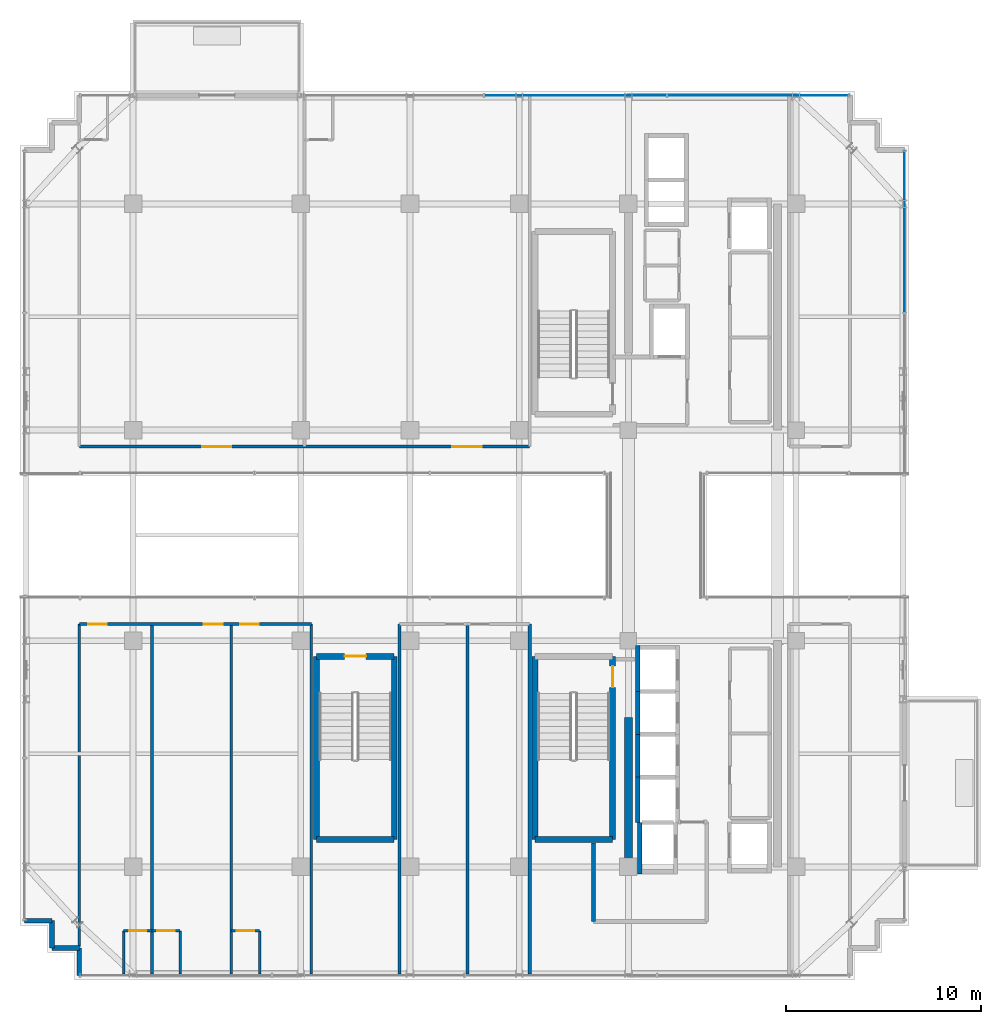
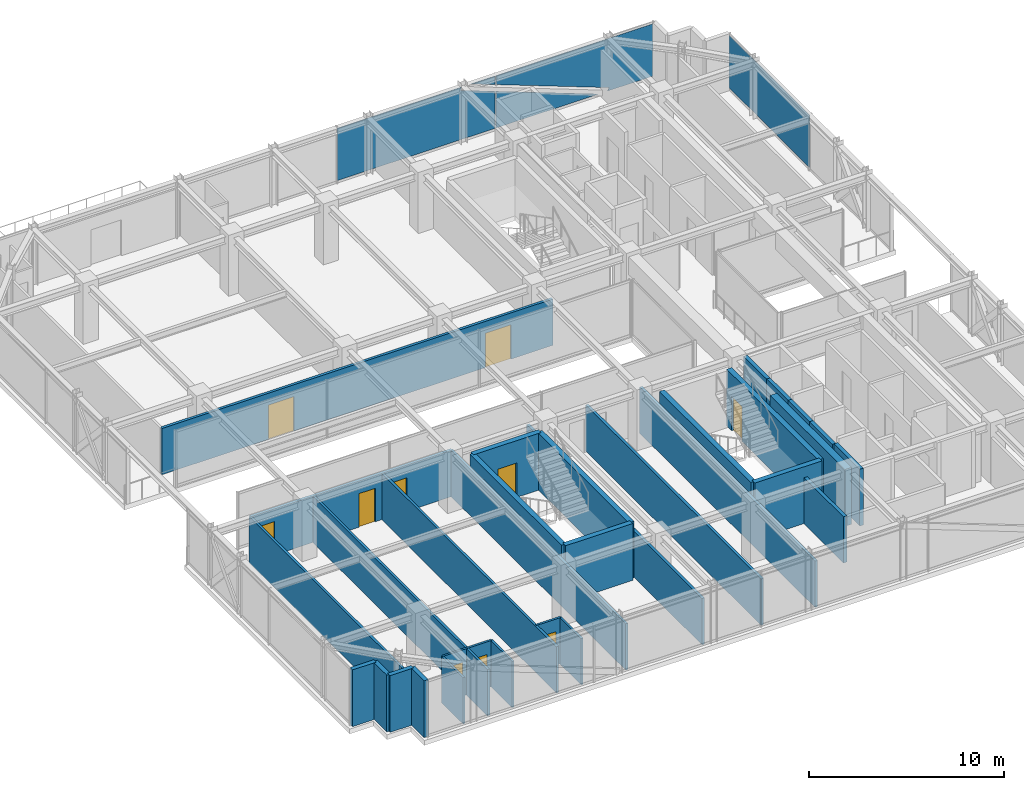
# One storey, part 32 of 39: 33 walls, 10 doors, 3 plates, 10 openings, 2 elements without a shape of their own.
"""IFC4 building model written with IfcOpenShell, lengths in metres."""

from ifc_helpers import new_model, si_unit, direction, frame, frame_2d, origin, origin_2d, place, context, subcontext, project, spatial, polyline, rectangle, outline, extrude, source, transform, mapped, material, layer, layer_set, type_object, element, fill, aggregate, save


model = new_model("IFC4")

# Units and contexts
model_context = context("Model", 3, precision=1e-05, world=origin(), true_north=direction((0.0, 1.0)))
body_context = subcontext(model_context, "Body", "Model", "MODEL_VIEW")
ifc_project = project(units=[si_unit("LENGTHUNIT", "METRE"), si_unit("AREAUNIT", "SQUARE_METRE"), si_unit("VOLUMEUNIT", "CUBIC_METRE"), si_unit("PLANEANGLEUNIT", "RADIAN"), si_unit("MASSUNIT", "GRAM", prefix="KILO")], contexts=[model_context])

# Site, building, storey
site_placement = place(None, origin())
site = spatial("IfcSite", under=ifc_project, at=site_placement, CompositionType="ELEMENT")
building_placement = place(site_placement, origin())
building = spatial("IfcBuilding", under=site, at=building_placement, Name="Nahalor Promenade Grand Hotel", CompositionType="ELEMENT")
storey_placement = place(building_placement, frame((0.0, 0.0, 311.89990234375)))
storey = spatial("IfcBuildingStorey", under=building, at=storey_placement, Name="L80", CompositionType="ELEMENT", Elevation=311.89990234375)

# Curtain wall, plates
ifc_material_1 = material(Name="Anodised Bronze Aluminium EN AW-6063 T6", Category="aluminium")
curtain_wall_type = type_object("IfcCurtainWallType", Name="CW3 Elliptical-Void Collar Unitised Curtain Wall", PredefinedType="USERDEFINED", material=ifc_material_1)
curtain_wall_1_placement = place(storey_placement, origin())
curtain_wall_1 = element("IfcCurtainWall", 1, at=curtain_wall_1_placement, inside=storey, type_object=curtain_wall_type, Name="L80 Curtain Wall CW-L80-N-3", ObjectType="UNITISED_CURTAIN_WALL", PredefinedType="USERDEFINED")
ifc_material_2 = material(Name="Low-E Laminated Solar Glass", Category="glass")
ifc_layer_1 = layer(ifc_material_2, 0.030029296875)
ifc_layer_set_1 = layer_set([ifc_layer_1], Name="Low-E Laminated Solar Glass")
plate_type = type_object("IfcPlateType", Name="CWP3 High-Wind Laminated Bronze IGU 30mm", PredefinedType="CURTAIN_PANEL", material=ifc_layer_set_1)
plate_1_placement = place(storey_placement, frame((5.679931640625, 22.56005859375, 0.14013671875), z_axis=(0.0, 0.0, 1.0), x_axis=(1.0, 0.0, 0.0)))
plate_1 = element("IfcPlate", 2, at=plate_1_placement, type_object=plate_type, Name="CW-L80-N-3 Glazing Panel 1-0", PredefinedType="CURTAIN_PANEL", context=body_context, shape_type="SweptSolid", body=[
    extrude(outline(polyline([(-4.658447265625, 0.0), (4.658447265625, 0.0), (4.658447265625, 2.313720703125), (2.6259765625, 3.081787109375), (2.697021484375, 3.27001953125), (-4.658447265625, 3.27001953125), (-4.658447265625, 0.0)])), frame((0.0, 0.01513671875, 0.0), z_axis=(0.0, -1.0, 0.0), x_axis=(1.0, 0.0, 0.0)), (0.0, 0.0, 1.0), 0.030029296875),
    extrude(outline(polyline([(4.658447265625, 2.7412109375), (4.658447265625, 3.27001953125), (3.25927734375, 3.27001953125), (4.658447265625, 2.7412109375)])), frame((0.0, 0.01513671875, 0.0), z_axis=(0.0, -1.0, 0.0), x_axis=(1.0, 0.0, 0.0)), (0.0, 0.0, 1.0), 0.030029296875),
])
plate_2_placement = place(storey_placement, frame((15.049072265625, 22.56005859375, 0.14013671875), z_axis=(0.0, 0.0, 1.0), x_axis=(1.0, 0.0, 0.0)))
plate_2 = element("IfcPlate", 3, at=plate_2_placement, type_object=plate_type, Name="CW-L80-N-3 Glazing Panel 2-0", PredefinedType="CURTAIN_PANEL", context=body_context, shape_type="SweptSolid", body=[
    extrude(outline(polyline([(4.640869140625, 3.27001953125), (-4.640869140625, 3.27001953125), (-4.640869140625, 2.71484375), (2.044921875, 0.188232421875), (1.973876953125, 0.0), (4.640869140625, 0.0), (4.640869140625, 3.27001953125)])), frame((0.0, 0.01513671875, 0.0), z_axis=(0.0, -1.0, 0.0), x_axis=(1.0, 0.0, 0.0)), (0.0, 0.0, 1.0), 0.030029296875),
    extrude(outline(polyline([(-4.640869140625, 2.287353515625), (-4.640869140625, 0.0), (1.41162109375, 0.0), (-4.640869140625, 2.287353515625)])), frame((0.0, 0.01513671875, 0.0), z_axis=(0.0, -1.0, 0.0), x_axis=(1.0, 0.0, 0.0)), (0.0, 0.0, 1.0), 0.030029296875),
])
aggregate(curtain_wall_1, [plate_1, plate_2])

# Curtain wall, plate
curtain_wall_2_placement = place(storey_placement, origin())
curtain_wall_2 = element("IfcCurtainWall", 4, at=curtain_wall_2_placement, inside=storey, type_object=curtain_wall_type, Name="L80 Curtain Wall CW-L80-E-4", ObjectType="UNITISED_CURTAIN_WALL", PredefinedType="USERDEFINED")
shared_shape_1 = source(origin(), body_context, "Body", "SweptSolid", [
    extrude(rectangle(XDim=8.239501953125, YDim=0.030029296875, at=origin_2d()), origin(), (0.0, 0.0, 1.0), 3.27001953125),
])
plate_3_placement = place(storey_placement, frame((22.56005859375, 15.5703125, 0.14013671875), z_axis=(0.0, 0.0, 1.0), x_axis=(0.0, 1.0, 0.0)))
plate_3 = element("IfcPlate", 5, at=plate_3_placement, type_object=plate_type, Name="CW-L80-E-4 Glazing Panel 1-0", PredefinedType="CURTAIN_PANEL", context=body_context, shape_type="MappedRepresentation", body=[
    mapped(shared_shape_1, transform((0.0, 0.0, 0.0), scale=1.0)),
])
aggregate(curtain_wall_2, [plate_3])

# Walls
ifc_material_3 = material(Name="Concrete B-50 (C40/50)", Category="concrete")
ifc_layer_2 = layer(ifc_material_3, 0.39990234375)
ifc_layer_set_2 = layer_set([ifc_layer_2], Name="Concrete B-50 (C40/50)")
wall_type_1 = type_object("IfcWallType", Name="Wall-CoreShear-400", PredefinedType="SHEAR", material=ifc_layer_set_2)
shared_shape_2 = source(origin(), body_context, "Body", "SweptSolid", [
    extrude(rectangle(XDim=7.64990234375, YDim=0.39990234375, at=frame_2d((3.824951171875, 0.0))), origin(), (0.0, 0.0, 1.0), 3.550048828125),
])
wall_1_placement = place(storey_placement, frame((8.39990234375, -17.0, 0.0), z_axis=(0.0, 0.0, 1.0), x_axis=(0.0, 1.0, 0.0)))
element("IfcWall", 6, at=wall_1_placement, inside=storey, type_object=wall_type_1, Name="CWALL-L80-SW", PredefinedType="SHEAR", context=body_context, shape_type="MappedRepresentation", body=[
    mapped(shared_shape_2, transform((0.0, 0.0, 0.0), scale=1.0)),
])
ifc_layer_3 = layer(ifc_material_3, 0.300048828125)
ifc_layer_set_3 = layer_set([ifc_layer_3], Name="Concrete B-50 (C40/50)")
wall_type_2 = type_object("IfcWallType", Name="Wall-ShaftShear-300", PredefinedType="SHEAR", material=ifc_layer_set_3)
shared_shape_3 = source(origin(), body_context, "Body", "SweptSolid", [
    extrude(rectangle(XDim=3.97998046875, YDim=0.300048828125, at=frame_2d((1.989990234375, 0.0))), origin(), (0.0, 0.0, 1.0), 3.550048828125),
])
for number, where, z_axis, x_axis, name in (
    (7, (3.610107421875, -15.590087890625, 0.0), (0.0, 0.0, 1.0), (1.0, 0.0, 0.0), "L80 Exit Stair ST2 Shaft Wall S"),
    (8, (-7.590087890625, -15.590087890625, 0.0), (0.0, 0.0, 1.0), (1.0, 0.0, 0.0), "L80 Exit Stair ST3 Shaft Wall S"),
):
    element("IfcWall", number, at=place(storey_placement, frame(where, z_axis=z_axis, x_axis=x_axis)), inside=storey, type_object=wall_type_2, Name=name, PredefinedType="SHEAR", context=body_context, shape_type="MappedRepresentation", body=[
        mapped(shared_shape_3, transform((0.0, 0.0, 0.0), scale=1.0)),
    ])

# Wall, opening, door
wall_2_placement = place(storey_placement, frame((-7.590087890625, -6.2099609375, 0.0), z_axis=(0.0, 0.0, 1.0), x_axis=(1.0, 0.0, 0.0)))
wall_2 = element("IfcWall", 9, at=wall_2_placement, inside=storey, type_object=wall_type_2, Name="L80 Exit Stair ST3 Shaft Wall N", PredefinedType="SHEAR", context=body_context, shape_type="MappedRepresentation", body=[
    mapped(shared_shape_3, transform((0.0, 0.0, 0.0), scale=1.0)),
])
opening_1_placement = place(wall_2_placement, frame((1.43994140625, 0.0, 0.0)))
opening_1 = element("IfcOpeningElement", 10, at=opening_1_placement, cuts=wall_2, Name="Opening D-ST1", PredefinedType="OPENING", context=body_context, shape_type="SweptSolid", body=[
    extrude(rectangle(XDim=1.10009765625, YDim=2.14990234375, at=frame_2d((0.550048828125, 1.074951171875))), frame((0.0, 0.159912109375, 0.0), z_axis=(0.0, -1.0, 0.0), x_axis=(1.0, 0.0, 0.0)), (0.0, 0.0, 1.0), 0.320068359375),
])
ifc_material_4 = material(Name="Steel S355JR", Category="steel")
door_type_1 = type_object("IfcDoorType", Name="Door-StairFire-1100", OperationType="NOTDEFINED", PredefinedType="DOOR", material=ifc_material_4)
shared_shape_4 = source(origin(), body_context, "Body", "SweptSolid", [
    extrude(rectangle(XDim=1.10009765625, YDim=2.14990234375, at=frame_2d((0.550048828125, 1.074951171875))), frame((0.0, 0.02490234375, 0.0), z_axis=(0.0, -1.0, 0.0), x_axis=(1.0, 0.0, 0.0)), (0.0, 0.0, 1.0), 0.050048828125),
])
door_1_placement = place(opening_1_placement, frame((1.10009765625, 0.0, 0.0), z_axis=(0.0, 0.0, 1.0), x_axis=(-1.0, 0.0, 0.0)))
door_1 = element("IfcDoor", 11, at=door_1_placement, inside=storey, type_object=door_type_1, Name="DR-STAIR-ST3-L80", OperationType="SINGLE_SWING_LEFT", OverallHeight=2.14990234375, OverallWidth=1.10009765625, PredefinedType="DOOR", context=body_context, shape_type="MappedRepresentation", body=[
    mapped(shared_shape_4, transform((0.0, 0.0, 0.0), scale=1.0)),
])
fill(opening_1, door_1)

# Wall
shared_shape_5 = source(origin(), body_context, "Body", "SweptSolid", [
    extrude(rectangle(XDim=9.380126953125, YDim=0.300048828125, at=frame_2d((4.68994140625, 0.0))), origin(), (0.0, 0.0, 1.0), 3.550048828125),
])
wall_3_placement = place(storey_placement, frame((3.610107421875, -15.590087890625, 0.0), z_axis=(0.0, 0.0, 1.0), x_axis=(0.0, 1.0, 0.0)))
element("IfcWall", 12, at=wall_3_placement, inside=storey, type_object=wall_type_2, Name="L80 Exit Stair ST2 Shaft Wall W", PredefinedType="SHEAR", context=body_context, shape_type="MappedRepresentation", body=[
    mapped(shared_shape_5, transform((0.0, 0.0, 0.0), scale=1.0)),
])

# Wall, opening, door
wall_4_placement = place(storey_placement, frame((7.590087890625, -15.590087890625, 0.0), z_axis=(0.0, 0.0, 1.0), x_axis=(0.0, 1.0, 0.0)))
wall_4 = element("IfcWall", 13, at=wall_4_placement, inside=storey, type_object=wall_type_2, Name="L80 Exit Stair ST2 Shaft Wall E", PredefinedType="SHEAR", context=body_context, shape_type="MappedRepresentation", body=[
    mapped(shared_shape_5, transform((0.0, 0.0, 0.0), scale=1.0)),
])
opening_2_placement = place(wall_4_placement, frame((7.7900390625, 0.0, 0.0)))
opening_2 = element("IfcOpeningElement", 14, at=opening_2_placement, cuts=wall_4, Name="Opening D-ST1", PredefinedType="OPENING", context=body_context, shape_type="SweptSolid", body=[
    extrude(rectangle(XDim=1.10009765625, YDim=2.14990234375, at=frame_2d((0.550048828125, 1.074951171875))), frame((0.0, 0.159912109375, 0.0), z_axis=(0.0, -1.0, 0.0), x_axis=(1.0, 0.0, 0.0)), (0.0, 0.0, 1.0), 0.320068359375),
])
door_2_placement = place(opening_2_placement, origin())
door_2 = element("IfcDoor", 15, at=door_2_placement, inside=storey, type_object=door_type_1, Name="DR-STAIR-ST2-L80", OperationType="SINGLE_SWING_LEFT", OverallHeight=2.14990234375, OverallWidth=1.10009765625, PredefinedType="DOOR", context=body_context, shape_type="MappedRepresentation", body=[
    mapped(shared_shape_4, transform((0.0, 0.0, 0.0), scale=1.0)),
])
fill(opening_2, door_2)

# Walls
for number, where, z_axis, x_axis, name in (
    (16, (-7.590087890625, -15.590087890625, 0.0), (0.0, 0.0, 1.0), (0.0, 1.0, 0.0), "L80 Exit Stair ST3 Shaft Wall W"),
    (17, (-3.610107421875, -15.590087890625, 0.0), (0.0, 0.0, 1.0), (0.0, 1.0, 0.0), "L80 Exit Stair ST3 Shaft Wall E"),
):
    element("IfcWall", number, at=place(storey_placement, frame(where, z_axis=z_axis, x_axis=x_axis)), inside=storey, type_object=wall_type_2, Name=name, PredefinedType="SHEAR", context=body_context, shape_type="MappedRepresentation", body=[
        mapped(shared_shape_5, transform((0.0, 0.0, 0.0), scale=1.0)),
    ])
ifc_layer_4 = layer(ifc_material_3, 0.219970703125)
ifc_layer_set_4 = layer_set([ifc_layer_4], Name="Concrete B-50 (C40/50)")
wall_type_3 = type_object("IfcWallType", Name="Wall-LiftShaft-220", PredefinedType="SHEAR", material=ifc_layer_set_4)
shared_shape_6 = source(origin(), body_context, "Body", "SweptSolid", [
    extrude(rectangle(XDim=2.360107421875, YDim=0.219970703125, at=frame_2d((1.18017578125, 0.0))), origin(), (0.0, 0.0, 1.0), 3.550048828125),
])
wall_5_placement = place(storey_placement, frame((8.8798828125, -8.0, 0.0), z_axis=(0.0, 0.0, 1.0), x_axis=(0.0, 1.0, 0.0)))
element("IfcWall", 18, at=wall_5_placement, inside=storey, type_object=wall_type_3, Name="L80 Lift PL9 Hoistway Wall W", PredefinedType="SHEAR", context=body_context, shape_type="MappedRepresentation", body=[
    mapped(shared_shape_6, transform((0.0, 0.0, 0.0), scale=1.0)),
])
shared_shape_7 = source(origin(), body_context, "Body", "SweptSolid", [
    extrude(rectangle(XDim=2.199951171875, YDim=0.219970703125, at=frame_2d((1.10009765625, 0.0))), origin(), (0.0, 0.0, 1.0), 3.550048828125),
])
for number, where, z_axis, x_axis, name in (
    (19, (8.8798828125, -10.199951171875, 0.0), (0.0, 0.0, 1.0), (0.0, 1.0, 0.0), "L80 Lift PL10 Hoistway Wall W"),
    (20, (8.8798828125, -12.39990234375, 0.0), (0.0, 0.0, 1.0), (0.0, 1.0, 0.0), "L80 Lift PL11 Hoistway Wall W"),
):
    element("IfcWall", number, at=place(storey_placement, frame(where, z_axis=z_axis, x_axis=x_axis)), inside=storey, type_object=wall_type_3, Name=name, PredefinedType="SHEAR", context=body_context, shape_type="MappedRepresentation", body=[
        mapped(shared_shape_7, transform((0.0, 0.0, 0.0), scale=1.0)),
    ])
shared_shape_8 = source(origin(), body_context, "Body", "SweptSolid", [
    extrude(rectangle(XDim=2.3251953125, YDim=0.219970703125, at=frame_2d((1.16259765625, 0.0))), origin(), (0.0, 0.0, 1.0), 3.550048828125),
])
wall_6_placement = place(storey_placement, frame((8.8798828125, -14.72509765625, 0.0), z_axis=(0.0, 0.0, 1.0), x_axis=(0.0, 1.0, 0.0)))
element("IfcWall", 21, at=wall_6_placement, inside=storey, type_object=wall_type_3, Name="L80 Lift PL12 Hoistway Wall W", PredefinedType="SHEAR", context=body_context, shape_type="MappedRepresentation", body=[
    mapped(shared_shape_8, transform((0.0, 0.0, 0.0), scale=1.0)),
])
shared_shape_9 = source(origin(), body_context, "Body", "SweptSolid", [
    extrude(rectangle(XDim=2.635009765625, YDim=0.219970703125, at=frame_2d((1.3173828125, 0.0))), origin(), (0.0, 0.0, 1.0), 3.550048828125),
])
wall_7_placement = place(storey_placement, frame((8.97998046875, -17.360107421875, 0.0), z_axis=(0.0, 0.0, 1.0), x_axis=(0.0, 1.0, 0.0)))
element("IfcWall", 22, at=wall_7_placement, inside=storey, type_object=wall_type_3, Name="L80 Lift FL2 Hoistway Wall W", PredefinedType="SHEAR", context=body_context, shape_type="MappedRepresentation", body=[
    mapped(shared_shape_9, transform((0.0, 0.0, 0.0), scale=1.0)),
])
ifc_material_5 = material(Name="Concrete B-40 (C32/40)", Category="concrete")
ifc_layer_5 = layer(ifc_material_5, 0.25)
ifc_layer_set_5 = layer_set([ifc_layer_5], Name="Concrete B-40 (C32/40)")
wall_type_4 = type_object("IfcWallType", Name="Wall-BronzePier-250", PredefinedType="STANDARD", material=ifc_layer_set_5)
shared_shape_10 = source(origin(), body_context, "Body", "SweptSolid", [
    extrude(rectangle(XDim=1.400146484375, YDim=0.25, at=frame_2d((0.7001953125, 0.0))), origin(), (0.0, 0.0, 1.0), 3.550048828125),
])
for number, where, z_axis, x_axis, name in (
    (23, (-22.56005859375, -19.760009765625, 0.0), (0.0, 0.0, 1.0), (1.0, 0.0, 0.0), "W-L80-SR-13"),
    (24, (-19.760009765625, -22.56005859375, 0.0), (0.0, 0.0, 1.0), (0.0, 1.0, 0.0), "W-L80-SR-16"),
):
    element("IfcWall", number, at=place(storey_placement, frame(where, z_axis=z_axis, x_axis=x_axis)), inside=storey, type_object=wall_type_4, Name=name, PredefinedType="STANDARD", context=body_context, shape_type="MappedRepresentation", body=[
        mapped(shared_shape_10, transform((0.0, 0.0, 0.0), scale=1.0)),
    ])
shared_shape_11 = source(origin(), body_context, "Body", "SweptSolid", [
    extrude(rectangle(XDim=1.39990234375, YDim=0.25, at=frame_2d((0.699951171875, 0.0))), origin(), (0.0, 0.0, 1.0), 3.550048828125),
])
for number, where, z_axis, x_axis, name in (
    (25, (-21.159912109375, -21.159912109375, 0.0), (0.0, 0.0, 1.0), (0.0, 1.0, 0.0), "W-L80-SR-14"),
    (26, (-21.159912109375, -21.159912109375, 0.0), (0.0, 0.0, 1.0), (1.0, 0.0, 0.0), "W-L80-SR-15"),
):
    element("IfcWall", number, at=place(storey_placement, frame(where, z_axis=z_axis, x_axis=x_axis)), inside=storey, type_object=wall_type_4, Name=name, PredefinedType="STANDARD", context=body_context, shape_type="MappedRepresentation", body=[
        mapped(shared_shape_11, transform((0.0, 0.0, 0.0), scale=1.0)),
    ])
ifc_layer_6 = layer(ifc_material_5, 0.199951171875)
ifc_layer_set_6 = layer_set([ifc_layer_6], Name="Concrete B-40 (C32/40)")
wall_type_5 = type_object("IfcWallType", Name="Wall-PartFire-200", PredefinedType="PARTITIONING", material=ifc_layer_set_6)
shared_shape_12 = source(origin(), body_context, "Body", "SweptSolid", [
    extrude(rectangle(XDim=4.030029296875, YDim=0.199951171875, at=frame_2d((2.01513671875, 0.0))), origin(), (0.0, 0.0, 1.0), 2.89013671875),
])
wall_8_placement = place(storey_placement, frame((6.60009765625, -19.800048828125, 0.0), z_axis=(0.0, 0.0, 1.0), x_axis=(0.0, 1.0, 0.0)))
element("IfcWall", 27, at=wall_8_placement, inside=storey, type_object=wall_type_5, Name="W-L80-FF2-W1", PredefinedType="PARTITIONING", context=body_context, shape_type="MappedRepresentation", body=[
    mapped(shared_shape_12, transform((0.0, 0.0, 0.0), scale=1.0)),
])
ifc_material_6 = material(Name="Acoustic Mineral Gypsum", Category="gypsum")
ifc_layer_7 = layer(ifc_material_6, 0.159912109375)
ifc_layer_set_7 = layer_set([ifc_layer_7], Name="Acoustic Mineral Gypsum")
wall_type_6 = type_object("IfcWallType", Name="Wall-PartCorridor-160", PredefinedType="PARTITIONING", material=ifc_layer_set_7)
shared_shape_13 = source(origin(), body_context, "Body", "SweptSolid", [
    extrude(rectangle(XDim=17.949951171875, YDim=0.159912109375, at=frame_2d((8.97509765625, 0.0))), origin(), (0.0, 0.0, 1.0), 2.89013671875),
])
for number, where, z_axis, x_axis, name in (
    (28, (-3.340087890625, -22.5, 0.0), (0.0, 0.0, 1.0), (0.0, 1.0, 0.0), "W-L80-SCB1-W"),
    (29, (0.14990234375, -22.5, 0.0), (0.0, 0.0, 1.0), (0.0, 1.0, 0.0), "W-L80-SCB1-E"),
    (30, (3.340087890625, -22.5, 0.0), (0.0, 0.0, 1.0), (0.0, 1.0, 0.0), "W-L80-SCB2-E"),
):
    element("IfcWall", number, at=place(storey_placement, frame(where, z_axis=z_axis, x_axis=x_axis)), inside=storey, type_object=wall_type_6, Name=name, PredefinedType="PARTITIONING", context=body_context, shape_type="MappedRepresentation", body=[
        mapped(shared_shape_13, transform((0.0, 0.0, 0.0), scale=1.0)),
    ])

# Wall, openings, doors
shared_shape_14 = source(origin(), body_context, "Body", "SweptSolid", [
    extrude(rectangle(XDim=23.10009765625, YDim=0.159912109375, at=frame_2d((11.550048828125, 0.0))), origin(), (0.0, 0.0, 1.0), 2.89013671875),
])
wall_9_placement = place(storey_placement, frame((-19.760009765625, 4.550048828125, 0.0), z_axis=(0.0, 0.0, 1.0), x_axis=(1.0, 0.0, 0.0)))
wall_9 = element("IfcWall", 31, at=wall_9_placement, inside=storey, type_object=wall_type_6, Name="W-L80-CORR-N", PredefinedType="PARTITIONING", context=body_context, shape_type="MappedRepresentation", body=[
    mapped(shared_shape_14, transform((0.0, 0.0, 0.0), scale=1.0)),
])
opening_3_placement = place(wall_9_placement, frame((6.302001953125, 0.0, 0.0)))
opening_3 = element("IfcOpeningElement", 32, at=opening_3_placement, cuts=wall_9, Name="Opening D-02", PredefinedType="OPENING", context=body_context, shape_type="SweptSolid", body=[
    extrude(rectangle(XDim=1.5, YDim=2.14990234375, at=frame_2d((0.75, 1.074951171875))), frame((0.0, 0.08984375, 0.0), z_axis=(0.0, -1.0, 0.0), x_axis=(1.0, 0.0, 0.0)), (0.0, 0.0, 1.0), 0.179931640625),
])
opening_4_placement = place(wall_9_placement, frame((19.12890625, 0.0, 0.0)))
opening_4 = element("IfcOpeningElement", 33, at=opening_4_placement, cuts=wall_9, Name="Opening D-02", PredefinedType="OPENING", context=body_context, shape_type="SweptSolid", body=[
    extrude(rectangle(XDim=1.5, YDim=2.14990234375, at=frame_2d((0.75, 1.074951171875))), frame((0.0, 0.08984375, 0.0), z_axis=(0.0, -1.0, 0.0), x_axis=(1.0, 0.0, 0.0)), (0.0, 0.0, 1.0), 0.179931640625),
])
ifc_material_7 = material(Name="Fire-Rated Timber Composite", Category="wood")
door_type_2 = type_object("IfcDoorType", Name="Door-SuiteDouble-1500", OperationType="DOUBLE_DOOR_SINGLE_SWING", PredefinedType="DOOR", material=ifc_material_7)
shared_shape_15 = source(origin(), body_context, "Body", "SweptSolid", [
    extrude(rectangle(XDim=1.5, YDim=2.14990234375, at=frame_2d((0.75, 1.074951171875))), frame((0.0, 0.02490234375, 0.0), z_axis=(0.0, -1.0, 0.0), x_axis=(1.0, 0.0, 0.0)), (0.0, 0.0, 1.0), 0.050048828125),
])
door_3_placement = place(opening_3_placement, origin())
door_3 = element("IfcDoor", 34, at=door_3_placement, inside=storey, type_object=door_type_2, Name="DR-L80-N1-ENT", OperationType="DOUBLE_DOOR_SINGLE_SWING", OverallHeight=2.14990234375, OverallWidth=1.5, PredefinedType="DOOR", context=body_context, shape_type="MappedRepresentation", body=[
    mapped(shared_shape_15, transform((0.0, 0.0, 0.0), scale=1.0)),
])
fill(opening_3, door_3)
door_4_placement = place(opening_4_placement, origin())
door_4 = element("IfcDoor", 35, at=door_4_placement, inside=storey, type_object=door_type_2, Name="DR-L80-N2-ENT", OperationType="DOUBLE_DOOR_SINGLE_SWING", OverallHeight=2.14990234375, OverallWidth=1.5, PredefinedType="DOOR", context=body_context, shape_type="MappedRepresentation", body=[
    mapped(shared_shape_15, transform((0.0, 0.0, 0.0), scale=1.0)),
])
fill(opening_4, door_4)

# Walls
ifc_layer_8 = layer(ifc_material_6, 0.139892578125)
ifc_layer_set_8 = layer_set([ifc_layer_8], Name="Acoustic Mineral Gypsum")
wall_type_7 = type_object("IfcWallType", Name="Wall-PartSuite-140", PredefinedType="PARTITIONING", material=ifc_layer_set_8)
shared_shape_16 = source(origin(), body_context, "Body", "SweptSolid", [
    extrude(rectangle(XDim=16.530029296875, YDim=0.139892578125, at=frame_2d((8.26513671875, 0.0))), origin(), (0.0, 0.0, 1.0), 2.89013671875),
])
wall_10_placement = place(storey_placement, frame((-19.760009765625, -21.080078125, 0.0), z_axis=(0.0, 0.0, 1.0), x_axis=(0.0, 1.0, 0.0)))
element("IfcWall", 36, at=wall_10_placement, inside=storey, type_object=wall_type_7, Name="W-L80-SW-ENDW", PredefinedType="PARTITIONING", context=body_context, shape_type="MappedRepresentation", body=[
    mapped(shared_shape_16, transform((0.0, 0.0, 0.0), scale=1.0)),
])
shared_shape_17 = source(origin(), body_context, "Body", "SweptSolid", [
    extrude(rectangle(XDim=17.949951171875, YDim=0.139892578125, at=frame_2d((8.97509765625, 0.0))), origin(), (0.0, 0.0, 1.0), 2.89013671875),
])
for number, where, z_axis, x_axis, name in (
    (37, (-7.860107421875, -22.5, 0.0), (0.0, 0.0, 1.0), (0.0, 1.0, 0.0), "W-L80-SW-ENDE"),
    (38, (-16.034912109375, -22.5, 0.0), (0.0, 0.0, 1.0), (0.0, 1.0, 0.0), "W-L80-SP-1"),
    (39, (-11.9599609375, -22.5, 0.0), (0.0, 0.0, 1.0), (0.0, 1.0, 0.0), "W-L80-SP-2"),
):
    element("IfcWall", number, at=place(storey_placement, frame(where, z_axis=z_axis, x_axis=x_axis)), inside=storey, type_object=wall_type_7, Name=name, PredefinedType="PARTITIONING", context=body_context, shape_type="MappedRepresentation", body=[
        mapped(shared_shape_17, transform((0.0, 0.0, 0.0), scale=1.0)),
    ])

# Wall, opening, door
ifc_layer_9 = layer(ifc_material_6, 0.1201171875)
ifc_layer_set_9 = layer_set([ifc_layer_9], Name="Acoustic Mineral Gypsum")
wall_type_8 = type_object("IfcWallType", Name="Wall-PartBath-120", PredefinedType="PARTITIONING", material=ifc_layer_set_9)
shared_shape_18 = source(origin(), body_context, "Body", "SweptSolid", [
    extrude(rectangle(XDim=1.449951171875, YDim=0.1201171875, at=frame_2d((0.72509765625, 0.0))), origin(), (0.0, 0.0, 1.0), 2.89013671875),
])
wall_11_placement = place(storey_placement, frame((-16.034912109375, -20.280029296875, 0.0), z_axis=(0.0, 0.0, 1.0), x_axis=(1.0, 0.0, 0.0)))
wall_11 = element("IfcWall", 40, at=wall_11_placement, inside=storey, type_object=wall_type_8, Name="W-L80-S2-BH", PredefinedType="PARTITIONING", context=body_context, shape_type="MappedRepresentation", body=[
    mapped(shared_shape_18, transform((0.0, 0.0, 0.0), scale=1.0)),
])
opening_5_placement = place(wall_11_placement, frame((0.284912109375, 0.0, 0.0)))
opening_5 = element("IfcOpeningElement", 41, at=opening_5_placement, cuts=wall_11, Name="Opening D-03", PredefinedType="OPENING", context=body_context, shape_type="SweptSolid", body=[
    extrude(rectangle(XDim=0.8798828125, YDim=2.10009765625, at=frame_2d((0.43994140625, 1.050048828125))), frame((0.0, 0.070068359375, 0.0), z_axis=(0.0, -1.0, 0.0), x_axis=(1.0, 0.0, 0.0)), (0.0, 0.0, 1.0), 0.14013671875),
])
door_type_3 = type_object("IfcDoorType", Name="Door-BathSwing-880", OperationType="NOTDEFINED", PredefinedType="DOOR", material=ifc_material_7)
shared_shape_19 = source(origin(), body_context, "Body", "SweptSolid", [
    extrude(rectangle(XDim=0.8798828125, YDim=2.10009765625, at=frame_2d((0.43994140625, 1.050048828125))), frame((0.0, 0.02490234375, 0.0), z_axis=(0.0, -1.0, 0.0), x_axis=(1.0, 0.0, 0.0)), (0.0, 0.0, 1.0), 0.050048828125),
])
door_5_placement = place(opening_5_placement, frame((0.8798828125, 0.0, 0.0), z_axis=(0.0, 0.0, 1.0), x_axis=(-1.0, 0.0, 0.0)))
door_5 = element("IfcDoor", 42, at=door_5_placement, inside=storey, type_object=door_type_3, Name="DR-L80-S2-BATH", OperationType="SINGLE_SWING_RIGHT", OverallHeight=2.10009765625, OverallWidth=0.8798828125, PredefinedType="DOOR", context=body_context, shape_type="MappedRepresentation", body=[
    mapped(shared_shape_19, transform((0.0, 0.0, 0.0), scale=1.0)),
])
fill(opening_5, door_5)

wall_12_placement = place(storey_placement, frame((-11.9599609375, -20.280029296875, 0.0), z_axis=(0.0, 0.0, 1.0), x_axis=(1.0, 0.0, 0.0)))
wall_12 = element("IfcWall", 43, at=wall_12_placement, inside=storey, type_object=wall_type_8, Name="W-L80-S3-BH", PredefinedType="PARTITIONING", context=body_context, shape_type="MappedRepresentation", body=[
    mapped(shared_shape_18, transform((0.0, 0.0, 0.0), scale=1.0)),
])
opening_6_placement = place(wall_12_placement, frame((0.284912109375, 0.0, 0.0)))
opening_6 = element("IfcOpeningElement", 44, at=opening_6_placement, cuts=wall_12, Name="Opening D-03", PredefinedType="OPENING", context=body_context, shape_type="SweptSolid", body=[
    extrude(rectangle(XDim=0.8798828125, YDim=2.10009765625, at=frame_2d((0.43994140625, 1.050048828125))), frame((0.0, 0.070068359375, 0.0), z_axis=(0.0, -1.0, 0.0), x_axis=(1.0, 0.0, 0.0)), (0.0, 0.0, 1.0), 0.14013671875),
])
door_6_placement = place(opening_6_placement, frame((0.8798828125, 0.0, 0.0), z_axis=(0.0, 0.0, 1.0), x_axis=(-1.0, 0.0, 0.0)))
door_6 = element("IfcDoor", 45, at=door_6_placement, inside=storey, type_object=door_type_3, Name="DR-L80-S3-BATH", OperationType="SINGLE_SWING_RIGHT", OverallHeight=2.10009765625, OverallWidth=0.8798828125, PredefinedType="DOOR", context=body_context, shape_type="MappedRepresentation", body=[
    mapped(shared_shape_19, transform((0.0, 0.0, 0.0), scale=1.0)),
])
fill(opening_6, door_6)

# Walls
shared_shape_20 = source(origin(), body_context, "Body", "SweptSolid", [
    extrude(rectangle(XDim=2.219970703125, YDim=0.1201171875, at=frame_2d((1.10986328125, 0.0))), origin(), (0.0, 0.0, 1.0), 2.89013671875),
])
for number, where, z_axis, x_axis, name in (
    (46, (-17.485107421875, -22.5, 0.0), (0.0, 0.0, 1.0), (0.0, 1.0, 0.0), "W-L80-S1-BV"),
    (47, (-14.5849609375, -22.5, 0.0), (0.0, 0.0, 1.0), (0.0, 1.0, 0.0), "W-L80-S2-BV"),
    (48, (-10.510009765625, -22.5, 0.0), (0.0, 0.0, 1.0), (0.0, 1.0, 0.0), "W-L80-S3-BV"),
):
    element("IfcWall", number, at=place(storey_placement, frame(where, z_axis=z_axis, x_axis=x_axis)), inside=storey, type_object=wall_type_8, Name=name, PredefinedType="PARTITIONING", context=body_context, shape_type="MappedRepresentation", body=[
        mapped(shared_shape_20, transform((0.0, 0.0, 0.0), scale=1.0)),
    ])

# Wall, openings, doors
shared_shape_21 = source(origin(), body_context, "Body", "SweptSolid", [
    extrude(rectangle(XDim=11.89990234375, YDim=0.159912109375, at=frame_2d((5.949951171875, 0.0))), origin(), (0.0, 0.0, 1.0), 2.89013671875),
])
wall_13_placement = place(storey_placement, frame((-19.760009765625, -4.550048828125, 0.0), z_axis=(0.0, 0.0, 1.0), x_axis=(1.0, 0.0, 0.0)))
wall_13 = element("IfcWall", 49, at=wall_13_placement, inside=storey, type_object=wall_type_6, Name="W-L80-CORR-S", PredefinedType="PARTITIONING", context=body_context, shape_type="MappedRepresentation", body=[
    mapped(shared_shape_21, transform((0.0, 0.0, 0.0), scale=1.0)),
])
opening_7_placement = place(wall_13_placement, frame((0.447998046875, 0.0, 0.0)))
opening_7 = element("IfcOpeningElement", 50, at=opening_7_placement, cuts=wall_13, Name="Opening D-01", PredefinedType="OPENING", context=body_context, shape_type="SweptSolid", body=[
    extrude(rectangle(XDim=0.949951171875, YDim=2.10009765625, at=frame_2d((0.47509765625, 1.050048828125))), frame((0.0, 0.08984375, 0.0), z_axis=(0.0, -1.0, 0.0), x_axis=(1.0, 0.0, 0.0)), (0.0, 0.0, 1.0), 0.179931640625),
])
opening_8_placement = place(wall_13_placement, frame((6.39501953125, 0.0, 0.0)))
opening_8 = element("IfcOpeningElement", 51, at=opening_8_placement, cuts=wall_13, Name="Opening D-01", PredefinedType="OPENING", context=body_context, shape_type="SweptSolid", body=[
    extrude(rectangle(XDim=0.949951171875, YDim=2.10009765625, at=frame_2d((0.47509765625, 1.050048828125))), frame((0.0, 0.08984375, 0.0), z_axis=(0.0, -1.0, 0.0), x_axis=(1.0, 0.0, 0.0)), (0.0, 0.0, 1.0), 0.179931640625),
])
opening_9_placement = place(wall_13_placement, frame((8.256103515625, 0.0, 0.0)))
opening_9 = element("IfcOpeningElement", 52, at=opening_9_placement, cuts=wall_13, Name="Opening D-01", PredefinedType="OPENING", context=body_context, shape_type="SweptSolid", body=[
    extrude(rectangle(XDim=0.949951171875, YDim=2.10009765625, at=frame_2d((0.47509765625, 1.050048828125))), frame((0.0, 0.08984375, 0.0), z_axis=(0.0, -1.0, 0.0), x_axis=(1.0, 0.0, 0.0)), (0.0, 0.0, 1.0), 0.179931640625),
])
door_type_4 = type_object("IfcDoorType", Name="Door-GuestEntry-950", OperationType="NOTDEFINED", PredefinedType="DOOR", material=ifc_material_7)
shared_shape_22 = source(origin(), body_context, "Body", "SweptSolid", [
    extrude(rectangle(XDim=0.949951171875, YDim=2.10009765625, at=frame_2d((0.47509765625, 1.050048828125))), frame((0.0, 0.02490234375, 0.0), z_axis=(0.0, -1.0, 0.0), x_axis=(1.0, 0.0, 0.0)), (0.0, 0.0, 1.0), 0.050048828125),
])
door_7_placement = place(opening_7_placement, frame((0.949951171875, 0.0, 0.0), z_axis=(0.0, 0.0, 1.0), x_axis=(-1.0, 0.0, 0.0)))
door_7 = element("IfcDoor", 53, at=door_7_placement, inside=storey, type_object=door_type_4, Name="DR-L80-S1-ENT", OperationType="SINGLE_SWING_LEFT", OverallHeight=2.10009765625, OverallWidth=0.949951171875, PredefinedType="DOOR", context=body_context, shape_type="MappedRepresentation", body=[
    mapped(shared_shape_22, transform((0.0, 0.0, 0.0), scale=1.0)),
])
fill(opening_7, door_7)
door_8_placement = place(opening_8_placement, frame((0.949951171875, 0.0, 0.0), z_axis=(0.0, 0.0, 1.0), x_axis=(-1.0, 0.0, 0.0)))
door_8 = element("IfcDoor", 54, at=door_8_placement, inside=storey, type_object=door_type_4, Name="DR-L80-S2-ENT", OperationType="SINGLE_SWING_LEFT", OverallHeight=2.10009765625, OverallWidth=0.949951171875, PredefinedType="DOOR", context=body_context, shape_type="MappedRepresentation", body=[
    mapped(shared_shape_22, transform((0.0, 0.0, 0.0), scale=1.0)),
])
fill(opening_8, door_8)
door_9_placement = place(opening_9_placement, frame((0.949951171875, 0.0, 0.0), z_axis=(0.0, 0.0, 1.0), x_axis=(-1.0, 0.0, 0.0)))
door_9 = element("IfcDoor", 55, at=door_9_placement, inside=storey, type_object=door_type_4, Name="DR-L80-S3-ENT", OperationType="SINGLE_SWING_LEFT", OverallHeight=2.10009765625, OverallWidth=0.949951171875, PredefinedType="DOOR", context=body_context, shape_type="MappedRepresentation", body=[
    mapped(shared_shape_22, transform((0.0, 0.0, 0.0), scale=1.0)),
])
fill(opening_9, door_9)

# Wall, opening, door
shared_shape_23 = source(origin(), body_context, "Body", "SweptSolid", [
    extrude(rectangle(XDim=1.4501953125, YDim=0.1201171875, at=frame_2d((0.72509765625, 0.0))), origin(), (0.0, 0.0, 1.0), 2.89013671875),
])
wall_14_placement = place(storey_placement, frame((-17.485107421875, -20.280029296875, 0.0), z_axis=(0.0, 0.0, 1.0), x_axis=(1.0, 0.0, 0.0)))
wall_14 = element("IfcWall", 56, at=wall_14_placement, inside=storey, type_object=wall_type_8, Name="W-L80-S1-BH", PredefinedType="PARTITIONING", context=body_context, shape_type="MappedRepresentation", body=[
    mapped(shared_shape_23, transform((0.0, 0.0, 0.0), scale=1.0)),
])
opening_10_placement = place(wall_14_placement, frame((0.284912109375, 0.0, 0.0)))
opening_10 = element("IfcOpeningElement", 57, at=opening_10_placement, cuts=wall_14, Name="Opening D-03", PredefinedType="OPENING", context=body_context, shape_type="SweptSolid", body=[
    extrude(rectangle(XDim=0.8798828125, YDim=2.10009765625, at=frame_2d((0.43994140625, 1.050048828125))), frame((0.0, 0.070068359375, 0.0), z_axis=(0.0, -1.0, 0.0), x_axis=(1.0, 0.0, 0.0)), (0.0, 0.0, 1.0), 0.14013671875),
])
door_10_placement = place(opening_10_placement, frame((0.8798828125, 0.0, 0.0), z_axis=(0.0, 0.0, 1.0), x_axis=(-1.0, 0.0, 0.0)))
door_10 = element("IfcDoor", 58, at=door_10_placement, inside=storey, type_object=door_type_3, Name="DR-L80-S1-BATH", OperationType="SINGLE_SWING_RIGHT", OverallHeight=2.10009765625, OverallWidth=0.8798828125, PredefinedType="DOOR", context=body_context, shape_type="MappedRepresentation", body=[
    mapped(shared_shape_19, transform((0.0, 0.0, 0.0), scale=1.0)),
])
fill(opening_10, door_10)

save(model, "model.ifc")
